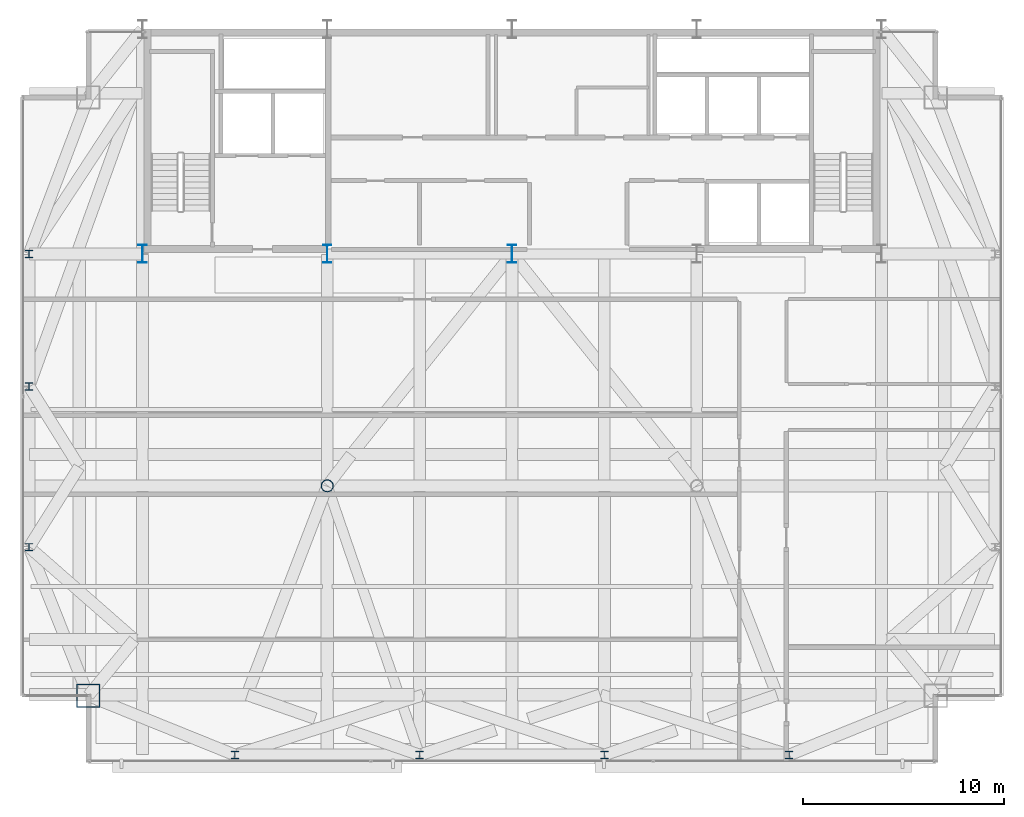
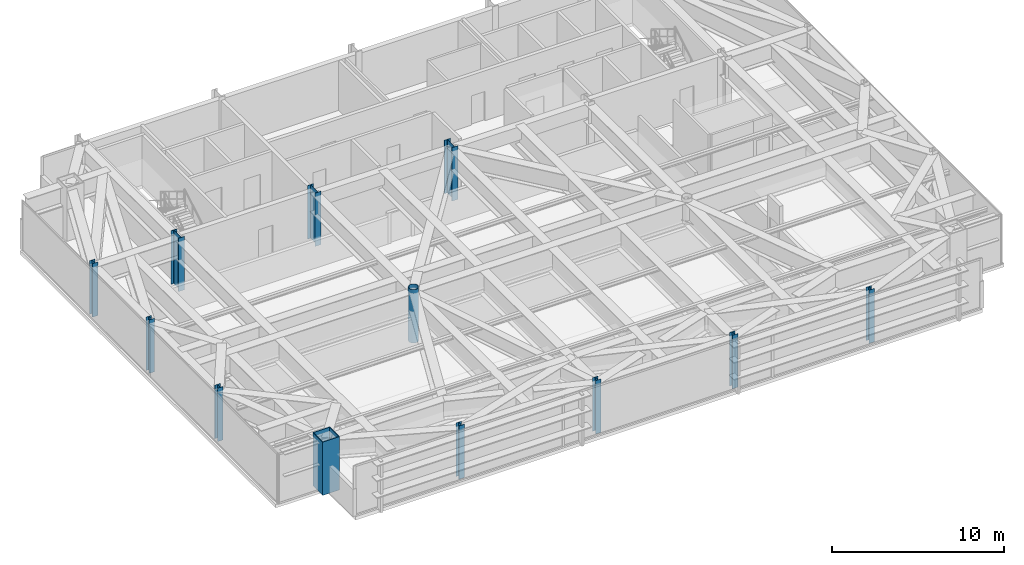
# One storey, part 1 of 23: 12 columns.
"""IFC4 building model written with IfcOpenShell, lengths in metres."""

from ifc_helpers import new_model, si_unit, direction, frame, origin, origin_2d, place, context, subcontext, project, spatial, hollow_rectangle, hollow_circle, i_section, extrude, source, transform, mapped, material, material_profile, profile_set, type_object, type_shapes, element, save


model = new_model("IFC4")

# Units and contexts
model_context = context("Model", 3, precision=1e-05, world=origin(), true_north=direction((0.0, 1.0)))
body_context = subcontext(model_context, "Body", "Model", "MODEL_VIEW")
ifc_project = project(units=[si_unit("LENGTHUNIT", "METRE"), si_unit("AREAUNIT", "SQUARE_METRE"), si_unit("VOLUMEUNIT", "CUBIC_METRE"), si_unit("PLANEANGLEUNIT", "RADIAN"), si_unit("MASSUNIT", "GRAM", prefix="KILO")], contexts=[model_context])

# Site, building, storey
site_placement = place(None, origin())
site = spatial("IfcSite", under=ifc_project, at=site_placement, CompositionType="ELEMENT")
building_placement = place(site_placement, origin())
building = spatial("IfcBuilding", under=site, at=building_placement, Name="Varnel Quay Broadcast Tower", CompositionType="ELEMENT")
storey_placement = place(building_placement, frame((0.0, 0.0, 254.60009765625)))
storey = spatial("IfcBuildingStorey", under=building, at=storey_placement, Name="L63", CompositionType="ELEMENT", Elevation=254.60009765625)

# Columns
ifc_material_1 = material(Name="Structural Steel CSA G40.21 350WT", Category="steel")
ifc_material_profile_1 = material_profile(ifc_material_1, i_section(OverallWidth=0.39990234375, OverallDepth=0.89990234375, WebThickness=0.01611328125, FlangeThickness=0.028076171875, FilletRadius=0.01611328125, at=origin_2d()), Name="WWF900X309")
ifc_profile_set_1 = profile_set([ifc_material_profile_1], Name="Structural Steel CSA G40.21 350WT")
column_type_1 = type_object("IfcColumnType", Name="Col_WWF900X309", PredefinedType="COLUMN", material=ifc_profile_set_1)
shared_shape_1 = source(origin(), body_context, "Body", "SweptSolid", [
    extrude(i_section(OverallWidth=0.39990234375, OverallDepth=0.89990234375, WebThickness=0.01611328125, FlangeThickness=0.028076171875, FilletRadius=0.01611328125, at=origin_2d()), origin(), (0.0, 0.0, 1.0), 3.7998046875),
])
type_shapes(column_type_1, [shared_shape_1])
for number, where, z_axis, x_axis, name in (
    (1, (15.60009765625, 35.60009765625, 0.0), (0.0, 0.0, 1.0), (1.0, 0.0, 0.0), "L63 Column CC-S1"),
    (2, (24.800048828125, 35.60009765625, 0.0), (0.0, 0.0, 1.0), (1.0, 0.0, 0.0), "L63 Column CC-S2"),
    (3, (34.0, 35.60009765625, 0.0), (0.0, 0.0, 1.0), (1.0, 0.0, 0.0), "L63 Column CC-S3"),
):
    element("IfcColumn", number, at=place(storey_placement, frame(where, z_axis=z_axis, x_axis=x_axis)), inside=storey, type_object=column_type_1, Name=name, PredefinedType="COLUMN", context=body_context, shape_type="MappedRepresentation", body=[
        mapped(shared_shape_1, transform((0.0, 0.0, 0.0), x_axis=(1.0, 0.0, 0.0), y_axis=(0.0, 1.0, 0.0), z_axis=(0.0, 0.0, 1.0), scale=1.0)),
    ])
ifc_material_profile_2 = material_profile(ifc_material_1, hollow_rectangle(XDim=1.14990234375, YDim=1.14990234375, WallThickness=0.044921875, at=origin_2d()), Name="BOX1150X1150X45")
ifc_profile_set_2 = profile_set([ifc_material_profile_2], Name="Structural Steel CSA G40.21 350WT")
column_type_2 = type_object("IfcColumnType", Name="Col_BOX1150X1150X45", PredefinedType="COLUMN", material=ifc_profile_set_2)
shared_shape_2 = source(origin(), body_context, "Body", "SweptSolid", [
    extrude(hollow_rectangle(XDim=1.14990234375, YDim=1.14990234375, WallThickness=0.044921875, at=origin_2d()), origin(), (0.0, 0.0, 1.0), 3.7998046875),
])
type_shapes(column_type_2, [shared_shape_2])
column_1_placement = place(storey_placement, frame((12.89990234375, 13.60009765625, 0.0), z_axis=(0.0, 0.0, 1.0), x_axis=(1.0, 0.0, 0.0)))
element("IfcColumn", 4, at=column_1_placement, inside=storey, type_object=column_type_2, Name="L63 Column MC-SW", PredefinedType="COLUMN", context=body_context, shape_type="MappedRepresentation", body=[
    mapped(shared_shape_2, transform((0.0, 0.0, 0.0), x_axis=(1.0, 0.0, 0.0), y_axis=(0.0, 1.0, 0.0), z_axis=(0.0, 0.0, 1.0), scale=1.0)),
])
ifc_material_2 = material(Name="Structural Steel CSA G40.21 350W", Category="steel")
ifc_material_profile_3 = material_profile(ifc_material_2, i_section(OverallWidth=0.368896484375, OverallDepth=0.35595703125, WebThickness=0.01123046875, FlangeThickness=0.01806640625, FilletRadius=0.01611328125, at=origin_2d()), Name="W360X134")
ifc_profile_set_3 = profile_set([ifc_material_profile_3], Name="Structural Steel CSA G40.21 350W")
column_type_3 = type_object("IfcColumnType", Name="Col_W360X134", PredefinedType="COLUMN", material=ifc_profile_set_3)
shared_shape_3 = source(origin(), body_context, "Body", "SweptSolid", [
    extrude(i_section(OverallWidth=0.368896484375, OverallDepth=0.35595703125, WebThickness=0.01123046875, FlangeThickness=0.01806640625, FilletRadius=0.01611328125, at=origin_2d()), origin(), (0.0, 0.0, 1.0), 3.7998046875),
])
type_shapes(column_type_3, [shared_shape_3])
for number, where, z_axis, x_axis, name in (
    (5, (20.199951171875, 10.64990234375, 0.0), (0.0, 0.0, 1.0), (1.0, 0.0, 0.0), "L63 Column TC-S1"),
    (6, (29.39990234375, 10.64990234375, 0.0), (0.0, 0.0, 1.0), (1.0, 0.0, 0.0), "L63 Column TC-S2"),
    (7, (38.60009765625, 10.64990234375, 0.0), (0.0, 0.0, 1.0), (1.0, 0.0, 0.0), "L63 Column TC-S3"),
    (8, (47.800048828125, 10.64990234375, 0.0), (0.0, 0.0, 1.0), (1.0, 0.0, 0.0), "L63 Column TC-S4"),
    (9, (9.949951171875, 21.0, 0.0), (0.0, 0.0, 1.0), (1.0, 0.0, 0.0), "L63 Column TC-W1"),
    (10, (9.949951171875, 29.0, 0.0), (0.0, 0.0, 1.0), (1.0, 0.0, 0.0), "L63 Column TC-W2"),
    (11, (9.949951171875, 35.60009765625, 0.0), (0.0, 0.0, 1.0), (1.0, 0.0, 0.0), "L63 Column TC-W3"),
):
    element("IfcColumn", number, at=place(storey_placement, frame(where, z_axis=z_axis, x_axis=x_axis)), inside=storey, type_object=column_type_3, Name=name, PredefinedType="COLUMN", context=body_context, shape_type="MappedRepresentation", body=[
        mapped(shared_shape_3, transform((0.0, 0.0, 0.0), x_axis=(1.0, 0.0, 0.0), y_axis=(0.0, 1.0, 0.0), z_axis=(0.0, 0.0, 1.0), scale=1.0)),
    ])
ifc_material_profile_4 = material_profile(ifc_material_2, hollow_circle(Radius=0.304931640625, WallThickness=0.02490234375, at=origin_2d()), Name="CHS610X25")
ifc_profile_set_4 = profile_set([ifc_material_profile_4], Name="Structural Steel CSA G40.21 350W")
column_type_4 = type_object("IfcColumnType", Name="Col_CHS610X25", PredefinedType="COLUMN", material=ifc_profile_set_4)
shared_shape_4 = source(origin(), body_context, "Body", "SweptSolid", [
    extrude(hollow_circle(Radius=0.304931640625, WallThickness=0.02490234375, at=origin_2d()), origin(), (0.0, 0.0, 1.0), 3.7998046875),
])
type_shapes(column_type_4, [shared_shape_4])
column_2_placement = place(storey_placement, frame((24.800048828125, 24.050048828125, 0.0), z_axis=(0.0, 0.0, 1.0), x_axis=(1.0, 0.0, 0.0)))
element("IfcColumn", 12, at=column_2_placement, inside=storey, type_object=column_type_4, Name="L63 Column IC-01", PredefinedType="COLUMN", context=body_context, shape_type="MappedRepresentation", body=[
    mapped(shared_shape_4, transform((0.0, 0.0, 0.0), x_axis=(1.0, 0.0, 0.0), y_axis=(0.0, 1.0, 0.0), z_axis=(0.0, 0.0, 1.0), scale=1.0)),
])

save(model, "model.ifc")
